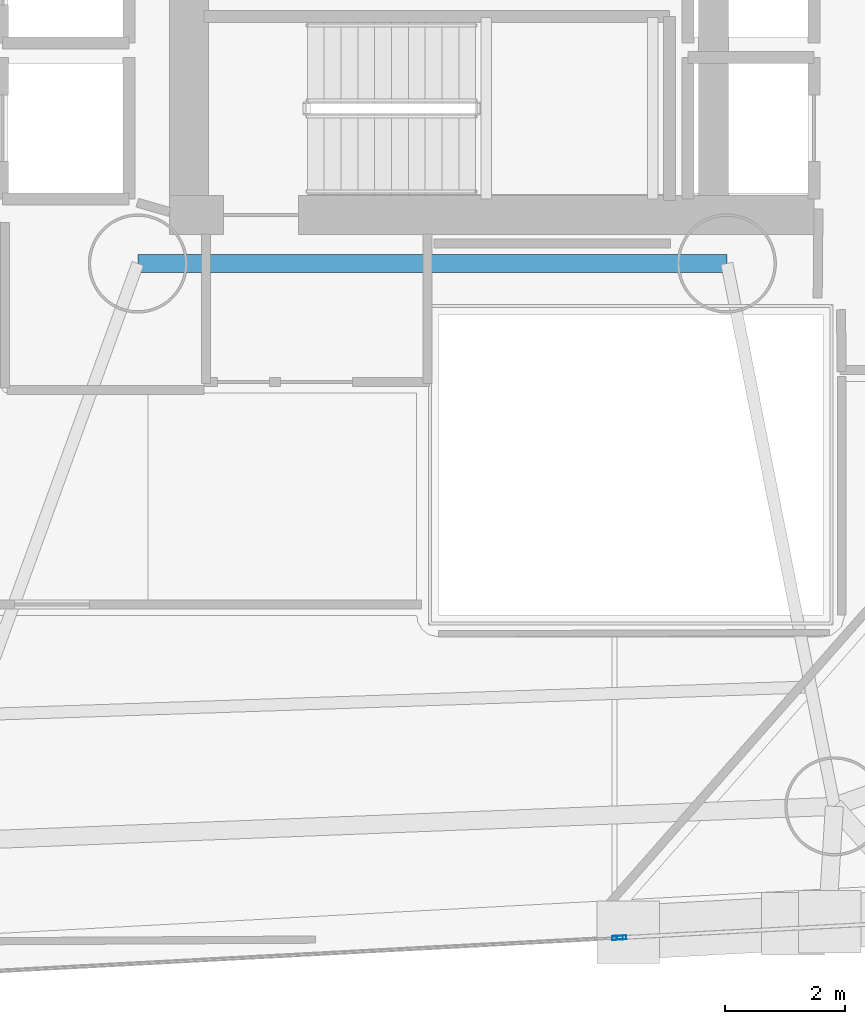
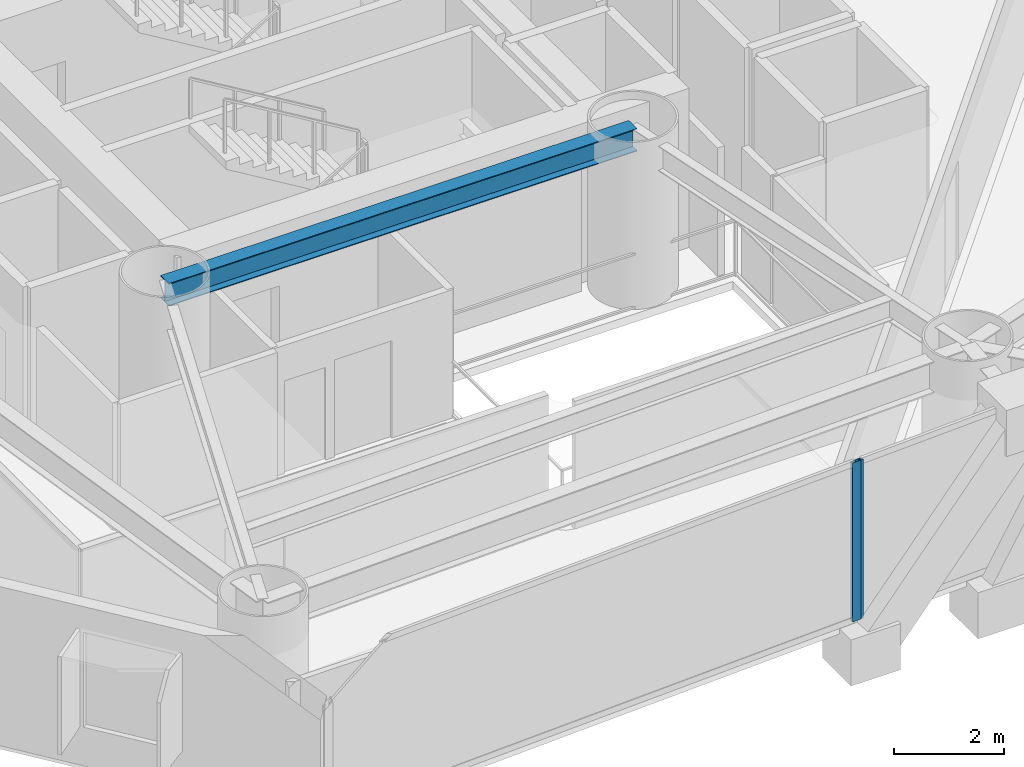
# One storey, part 5 of 23: 2 members, 1 beam, 2 elements without a shape of their own.
"""IFC4 building model written with IfcOpenShell, lengths in metres."""

import ifcopenshell
import ifcopenshell.guid

model = None  # the IFC model being written
_history = None  # IfcOwnerHistory: only IFC2X3 demands one
_inside = {}  # id of a spatial element -> (the spatial element, [elements in it])
_under = {}  # id of a project, library or spatial element -> (it, [spatial elements below it])
_declared = {}  # id of a project -> (the project, [libraries it declares])
_typed = {}  # id of a type object -> (the type object, [elements of that type])
_made_of = {}  # id of a material, layer set ... -> (it, [elements and type objects made of it])


def new_model(schema):
    """Start an empty IFC model of exactly this schema.

    Asked for "IFC4X3", IfcOpenShell would pick the latest addendum, in which some entities
    have other attributes; the version numbers below select the first issue.
    IFC2X3 requires an IfcOwnerHistory on every rooted entity: one is made here for all.
    """
    global model, _history
    if schema == "IFC4X3":
        model = ifcopenshell.file(schema_version=(4, 3, 0, 0))
    else:
        model = ifcopenshell.file(schema=schema)
    _inside.clear()
    _under.clear()
    _declared.clear()
    _typed.clear()
    _made_of.clear()
    _history = None
    if model.schema == "IFC2X3":
        org = make("IfcOrganization", Name="unknown")
        user = make(
            "IfcPersonAndOrganization",
            ThePerson=make("IfcPerson", FamilyName="unknown"),
            TheOrganization=org,
        )
        app = make(
            "IfcApplication",
            ApplicationDeveloper=org,
            Version="unknown",
            ApplicationFullName="unknown",
            ApplicationIdentifier="unknown",
        )
        _history = make(
            "IfcOwnerHistory",
            OwningUser=user,
            OwningApplication=app,
            ChangeAction="ADDED",
            CreationDate=0,
        )
    return model


def make(cls, **values):
    """One entity of the class cls with the attributes given. An attribute that is None is left unset."""
    return model.create_entity(
        cls, **{name: value for name, value in values.items() if value is not None}
    )


def rooted(cls, **values):
    """An entity with a GlobalId (a new one), such as an element, a storey or a relation."""
    return make(cls, GlobalId=ifcopenshell.guid.new(), OwnerHistory=_history, **values)


def si_unit(unit_type, name, prefix=None):
    """IfcSIUnit, for example si_unit("LENGTHUNIT", "METRE", prefix="MILLI")."""
    return make("IfcSIUnit", UnitType=unit_type, Prefix=prefix, Name=name)


def assignment(units):
    """IfcUnitAssignment: the units of a project."""
    return None if units is None else make("IfcUnitAssignment", Units=units)


def point(xyz):
    """IfcCartesianPoint."""
    return None if xyz is None else make("IfcCartesianPoint", Coordinates=xyz)


def direction(xyz):
    """IfcDirection."""
    return None if xyz is None else make("IfcDirection", DirectionRatios=xyz)


def frame(location, z_axis=None, x_axis=None):
    """IfcAxis2Placement3D, a coordinate frame: its origin and axes. An axis left out is left unset."""
    return make(
        "IfcAxis2Placement3D",
        Location=point(location),
        Axis=direction(z_axis),
        RefDirection=direction(x_axis),
    )


def frame_2d(location, x_axis=None):
    """IfcAxis2Placement2D, a coordinate frame in the plane: its origin and x axis."""
    return make(
        "IfcAxis2Placement2D", Location=point(location), RefDirection=direction(x_axis)
    )


def origin():
    """The frame at (0, 0, 0) with its axes left unset."""
    return frame((0.0, 0.0, 0.0))


def origin_2d():
    """The frame at (0, 0) in the plane with its x axis left unset."""
    return frame_2d((0.0, 0.0))


def place(relative_to, where):
    """IfcLocalPlacement: puts the frame where relative to a parent placement (None: the world)."""
    return make(
        "IfcLocalPlacement", PlacementRelTo=relative_to, RelativePlacement=where
    )


def context(
    kind, dimensions, precision=None, world=None, true_north=None, identifier=None
):
    """IfcGeometricRepresentationContext, for example the 3D "Model" context."""
    return make(
        "IfcGeometricRepresentationContext",
        ContextIdentifier=identifier,
        ContextType=kind,
        CoordinateSpaceDimension=dimensions,
        Precision=precision,
        WorldCoordinateSystem=world,
        TrueNorth=true_north,
    )


def subcontext(parent, identifier, kind, view, scale=None):
    """IfcGeometricRepresentationSubContext, for example "Body" below "Model"."""
    return make(
        "IfcGeometricRepresentationSubContext",
        ContextIdentifier=identifier,
        ContextType=kind,
        ParentContext=parent,
        TargetScale=scale,
        TargetView=view,
    )


def project(units=None, contexts=None):
    """IfcProject with its units and contexts."""
    return rooted(
        "IfcProject",
        Name="project",
        RepresentationContexts=contexts,
        UnitsInContext=assignment(units),
    )


def spatial(cls, under=None, at=None, **own):
    """A site, building, storey or space (cls), placed at a placement, below another one or the project."""
    s = rooted(cls, ObjectPlacement=at, **own)
    if under is not None:
        _under.setdefault(under.id(), (under, []))[1].append(s)
    return s


def profile(cls, at=None, kind="AREA", **sizes):
    """A parametric profile (cls). Its sizes go by their IFC names, for example OverallWidth=200.0."""
    return make(cls, ProfileType=kind, Position=at, **sizes)


def hollow_rectangle(**sizes):
    """IfcRectangleHollowProfileDef."""
    return profile("IfcRectangleHollowProfileDef", **sizes)


def i_section(**sizes):
    """IfcIShapeProfileDef."""
    return profile("IfcIShapeProfileDef", **sizes)


def extrude(swept, where, along, depth):
    """IfcExtrudedAreaSolid: the profile swept, set in the frame where, extruded along a direction by depth."""
    return make(
        "IfcExtrudedAreaSolid",
        SweptArea=swept,
        Position=where,
        ExtrudedDirection=direction(along),
        Depth=depth,
    )


def shape(context_of_items, identifier, shape_type, items):
    """IfcShapeRepresentation: the items that make up one representation, for example the "Body"."""
    return make(
        "IfcShapeRepresentation",
        ContextOfItems=context_of_items,
        RepresentationIdentifier=identifier,
        RepresentationType=shape_type,
        Items=items,
    )


def material(Name=None, Category=None):
    """IfcMaterial."""
    return make("IfcMaterial", Name=Name, Category=Category)


def layer(
    of_material, thickness, ventilated=None, Name=None, Category=None, Priority=None
):
    """IfcMaterialLayer: one layer of a wall or slab, of a material (None: an air gap)."""
    return make(
        "IfcMaterialLayer",
        Material=of_material,
        LayerThickness=thickness,
        IsVentilated=ventilated,
        Name=Name,
        Category=Category,
        Priority=Priority,
    )


def layer_set(layers, Name=None):
    """IfcMaterialLayerSet."""
    return make("IfcMaterialLayerSet", MaterialLayers=layers, LayerSetName=Name)


def material_profile(
    of_material, cross_section, Name=None, Category=None, Priority=None
):
    """IfcMaterialProfile: a cross section and its material."""
    return make(
        "IfcMaterialProfile",
        Name=Name,
        Material=of_material,
        Profile=cross_section,
        Priority=Priority,
        Category=Category,
    )


def profile_set(profiles, Name=None, composite=None):
    """IfcMaterialProfileSet."""
    return make(
        "IfcMaterialProfileSet",
        Name=Name,
        MaterialProfiles=profiles,
        CompositeProfile=composite,
    )


def made_of(thing, what):
    """Note that an element or type object is made of a material, layer set ...; save() writes the relation."""
    if what is not None:
        _made_of.setdefault(what.id(), (what, []))[1].append(thing)
    return thing


def type_object(cls, material=None, **own):
    """A type object (cls), such as IfcWallType, which elements share."""
    return made_of(rooted(cls, **own), material)


def element(
    cls,
    number,
    at=None,
    inside=None,
    cuts=None,
    type_object=None,
    material=None,
    context=None,
    identifier="Body",
    shape_type=None,
    held_by="IfcProductDefinitionShape",
    body=None,
    shapes=None,
    **own,
):
    """One element of the class cls, such as IfcWall. Its Tag is "e" and its number.

    at: its placement. inside: the storey or other place that contains it. cuts: it is an
    opening in that element (IfcRelVoidsElement). A single representation is given by context,
    identifier, shape_type and body (its items); several are given by shapes. held_by: the class
    of the entity that holds the representations. save() writes the other relations.
    """
    e = rooted(cls, Tag="e%d" % number, ObjectPlacement=at, **own)
    if body is not None:
        shapes = [shape(context, identifier, shape_type, body)]
    if shapes is not None:
        e.Representation = make(held_by, Representations=shapes)
    if inside is not None:
        _inside.setdefault(inside.id(), (inside, []))[1].append(e)
    if cuts is not None:
        rooted(
            "IfcRelVoidsElement", RelatingBuildingElement=cuts, RelatedOpeningElement=e
        )
    if type_object is not None:
        _typed.setdefault(type_object.id(), (type_object, []))[1].append(e)
    return made_of(e, material)


def aggregate(whole, parts):
    """IfcRelAggregates: a whole, such as a stair, and the parts it consists of."""
    return rooted("IfcRelAggregates", RelatingObject=whole, RelatedObjects=parts)


def save(model, path):
    """Write the relations noted so far, then the file.

    IfcRelAggregates (storeys below a building ...), IfcRelContainedInSpatialStructure (elements
    in a storey), IfcRelDefinesByType, IfcRelAssociatesMaterial and IfcRelDeclares: one each for
    every whole, place, type object, material and project.
    """
    for whole, parts in _under.values():
        aggregate(whole, parts)
    for where, things in _inside.values():
        rooted(
            "IfcRelContainedInSpatialStructure",
            RelatedElements=things,
            RelatingStructure=where,
        )
    for kind, things in _typed.values():
        rooted("IfcRelDefinesByType", RelatedObjects=things, RelatingType=kind)
    for what, things in _made_of.values():
        rooted("IfcRelAssociatesMaterial", RelatedObjects=things, RelatingMaterial=what)
    for by, libraries in _declared.values():
        rooted("IfcRelDeclares", RelatingContext=by, RelatedDefinitions=libraries)
    model.write(path)


model = new_model("IFC4")

# Units and contexts
model_context = context("Model", 3, precision=1e-05, world=origin(), true_north=direction((0.0, 1.0)))
body_context = subcontext(model_context, "Body", "Model", "MODEL_VIEW")
ifc_project = project(units=[si_unit("LENGTHUNIT", "METRE"), si_unit("AREAUNIT", "SQUARE_METRE"), si_unit("VOLUMEUNIT", "CUBIC_METRE"), si_unit("PLANEANGLEUNIT", "RADIAN"), si_unit("MASSUNIT", "GRAM", prefix="KILO")], contexts=[model_context])

# Site, building, storey
site_placement = place(None, origin())
site = spatial("IfcSite", under=ifc_project, at=site_placement, CompositionType="ELEMENT")
building_placement = place(site_placement, origin())
building = spatial("IfcBuilding", under=site, at=building_placement, Name="Qianvela Tower", CompositionType="ELEMENT")
storey_placement = place(building_placement, frame((0.0, 0.0, 56.199951171875)))
storey = spatial("IfcBuildingStorey", under=building, at=storey_placement, Name="L13", CompositionType="ELEMENT", Elevation=56.199951171875)

# Beam
ifc_material_1 = material(Name="Steel Q355B", Category="steel")
ifc_material_profile_1 = material_profile(ifc_material_1, i_section(OverallWidth=0.300048828125, OverallDepth=0.5, WebThickness=0.010986328125, FlangeThickness=0.01806640625, at=origin_2d()), Name="HM500x300x11x18")
ifc_profile_set_1 = profile_set([ifc_material_profile_1], Name="Steel Q355B")
beam_type = type_object("IfcBeamType", Name="BM-HM500-COLL", PredefinedType="BEAM", material=ifc_profile_set_1)
beam_placement = place(storey_placement, frame((28.60009765625, 23.85009765625, 3.26806640625), z_axis=(1.0, 0.0, 0.0), x_axis=(0.0, 1.0, 0.0)))
element("IfcBeam", 1, at=beam_placement, inside=storey, type_object=beam_type, Name="L13 Core Ring Collector Girder CC1", PredefinedType="BEAM", context=body_context, shape_type="SweptSolid", body=[
    extrude(i_section(OverallWidth=0.300048828125, OverallDepth=0.5, WebThickness=0.010986328125, FlangeThickness=0.01806640625, at=origin_2d()), origin(), (0.0, 0.0, 1.0), 9.7998046875),
])

# Curtain wall, member
ifc_material_2 = material(Name="Anodised Architectural Aluminium and Insulated Spandrel Panel", Category="aluminium")
ifc_layer_1 = layer(ifc_material_2, 0.179931640625)
ifc_layer_set_1 = layer_set([ifc_layer_1], Name="Anodised Architectural Aluminium and Insulated Spandrel Panel")
curtain_wall_type_1 = type_object("IfcCurtainWallType", Name="CW-BRACEBAY", PredefinedType="USERDEFINED", material=ifc_layer_set_1)
curtain_wall_1_placement = place(storey_placement, origin())
curtain_wall_1 = element("IfcCurtainWall", 2, at=curtain_wall_1_placement, inside=storey, type_object=curtain_wall_type_1, Name="L13 CW-BRACEBAY Curtain Wall 06B", ObjectType="CURTAIN_WALL_SYSTEM", PredefinedType="USERDEFINED")
ifc_material_3 = material(Name="Anodised Architectural Aluminium 6063-T6", Category="aluminium")
ifc_material_profile_2 = material_profile(ifc_material_3, hollow_rectangle(XDim=0.06494140625, YDim=0.159912109375, WallThickness=0.0048828125, at=origin_2d()), Name="ALU-MULL-65x160")
ifc_profile_set_2 = profile_set([ifc_material_profile_2], Name="Anodised Architectural Aluminium 6063-T6")
member_type_1 = type_object("IfcMemberType", Name="CW-BRACEBAY-MULL", PredefinedType="MULLION", material=ifc_profile_set_2)
member_1_placement = place(storey_placement, frame((36.649169921875, 12.63525390625, 0.0), z_axis=(0.0, 0.0, 1.0), x_axis=(-0.053614052743, 0.998561732367, 0.0)))
member_1 = element("IfcMember", 3, at=member_1_placement, type_object=member_type_1, Name="CW-9 mullion 1", PredefinedType="MULLION", context=body_context, shape_type="SweptSolid", body=[
    extrude(hollow_rectangle(XDim=0.06494140625, YDim=0.159912109375, WallThickness=0.0048828125, at=origin_2d()), origin(), (0.0, 0.0, 1.0), 3.52001953125),
])
aggregate(curtain_wall_1, [member_1])

ifc_material_4 = material(Name="Anodised Architectural Aluminium and Low-E Glass", Category="aluminium")
ifc_layer_2 = layer(ifc_material_4, 0.179931640625)
ifc_layer_set_2 = layer_set([ifc_layer_2], Name="Anodised Architectural Aluminium and Low-E Glass")
curtain_wall_type_2 = type_object("IfcCurtainWallType", Name="CW-COLIV-Z12", PredefinedType="USERDEFINED", material=ifc_layer_set_2)
curtain_wall_2_placement = place(storey_placement, origin())
curtain_wall_2 = element("IfcCurtainWall", 4, at=curtain_wall_2_placement, inside=storey, type_object=curtain_wall_type_2, Name="L13 CW-COLIV-Z12 Curtain Wall 06A", ObjectType="CURTAIN_WALL_SYSTEM", PredefinedType="USERDEFINED")
ifc_material_5 = material(Name="Anodised Architectural Aluminium 6063-T6", Category="aluminium")
ifc_material_profile_3 = material_profile(ifc_material_5, hollow_rectangle(XDim=0.070068359375, YDim=0.179931640625, WallThickness=0.0048828125, at=origin_2d()), Name="ALU-MULL-70x180")
ifc_profile_set_3 = profile_set([ifc_material_profile_3], Name="Anodised Architectural Aluminium 6063-T6")
member_type_2 = type_object("IfcMemberType", Name="CW-COLIV-Z12-MULL", PredefinedType="MULLION", material=ifc_profile_set_3)
member_2_placement = place(storey_placement, frame((36.58154296875, 12.631591796875, 0.0), z_axis=(0.0, 0.0, 1.0), x_axis=(-0.053603044834, 0.998562323335, 0.0)))
member_2 = element("IfcMember", 5, at=member_2_placement, type_object=member_type_2, Name="CW-3 mullion 2", PredefinedType="MULLION", context=body_context, shape_type="SweptSolid", body=[
    extrude(hollow_rectangle(XDim=0.070068359375, YDim=0.179931640625, WallThickness=0.0048828125, at=origin_2d()), origin(), (0.0, 0.0, 1.0), 3.52001953125),
])
aggregate(curtain_wall_2, [member_2])

save(model, "model.ifc")
